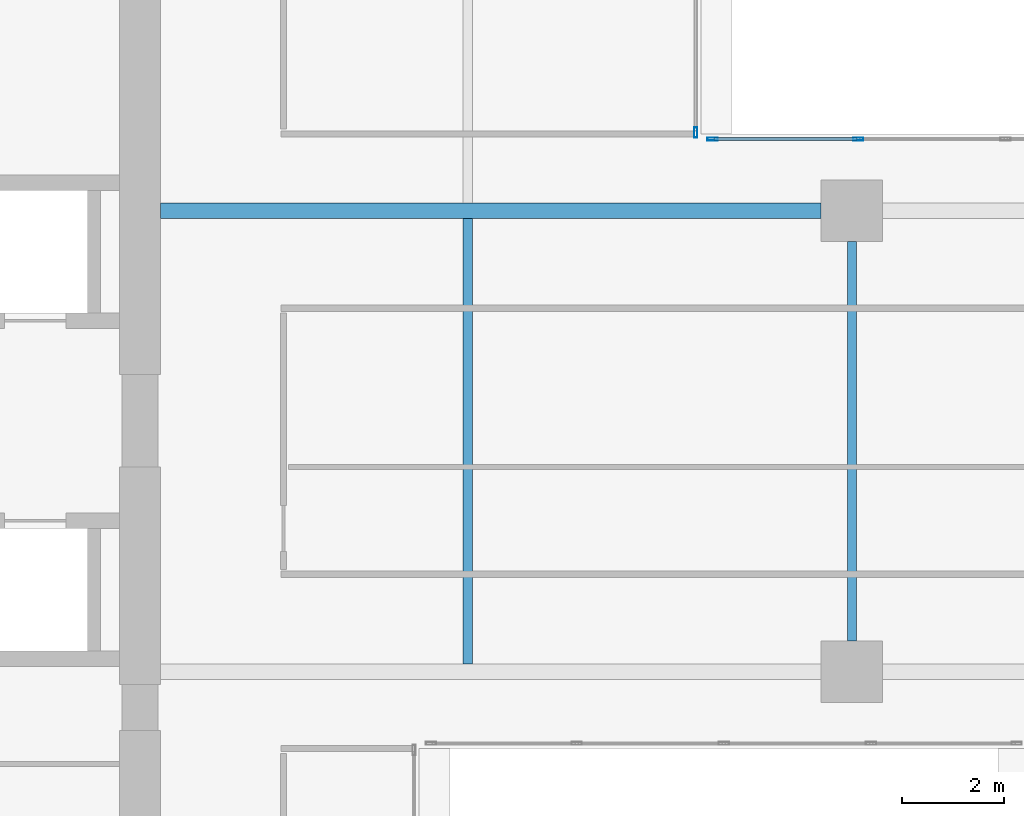
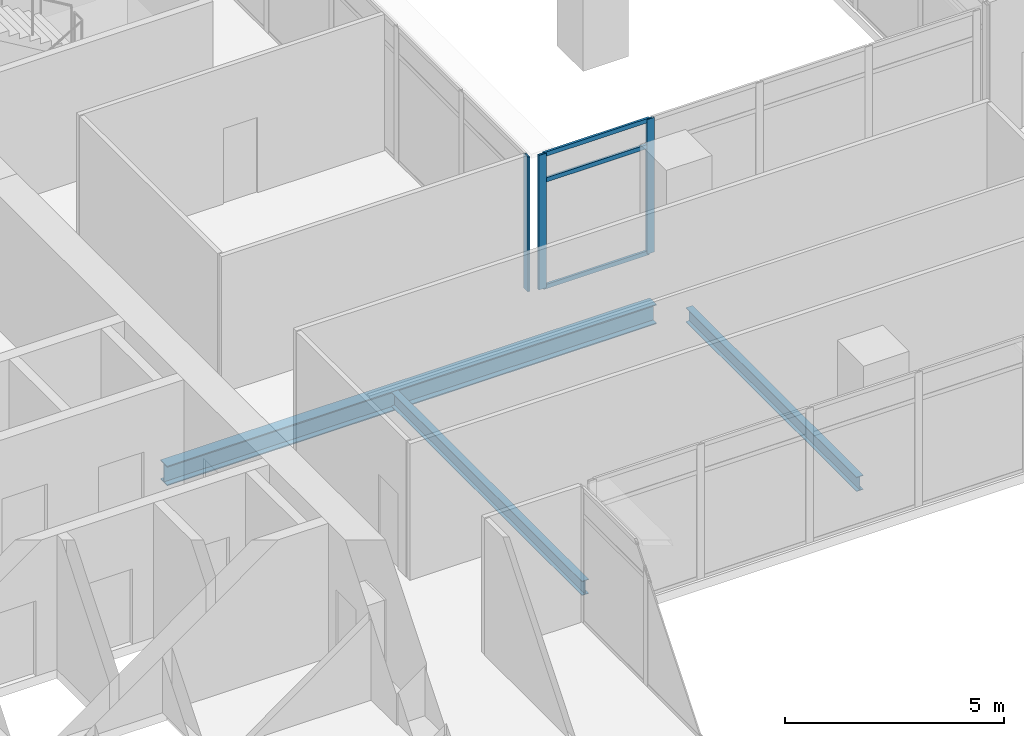
# One storey, part 8 of 37: 6 members, 3 beams, 2 elements without a shape of their own.
"""IFC4 building model written with IfcOpenShell, lengths in metres."""

from ifc_helpers import new_model, si_unit, direction, frame, origin, origin_2d, place, context, subcontext, project, spatial, hollow_rectangle, i_section, extrude, source, transform, mapped, material, material_profile, profile_set, type_object, element, aggregate, save


model = new_model("IFC4")

# Units and contexts
model_context = context("Model", 3, precision=1e-05, world=origin(), true_north=direction((0.0, 1.0)))
body_context = subcontext(model_context, "Body", "Model", "MODEL_VIEW")
ifc_project = project(units=[si_unit("LENGTHUNIT", "METRE"), si_unit("AREAUNIT", "SQUARE_METRE"), si_unit("VOLUMEUNIT", "CUBIC_METRE"), si_unit("PLANEANGLEUNIT", "RADIAN"), si_unit("MASSUNIT", "GRAM", prefix="KILO")], contexts=[model_context])

# Site, building, storey
site_placement = place(None, origin())
site = spatial("IfcSite", under=ifc_project, at=site_placement, CompositionType="ELEMENT")
building_placement = place(site_placement, origin())
building = spatial("IfcBuilding", under=site, at=building_placement, Name="Khomas Fold Tower", CompositionType="ELEMENT")
storey_placement = place(building_placement, frame((0.0, 0.0, 168.699951171875)))
storey = spatial("IfcBuildingStorey", under=building, at=storey_placement, Name="L36", CompositionType="ELEMENT", Elevation=168.699951171875)

# Beams
ifc_material_1 = material(Name="Steel S355", Category="steel")
ifc_material_profile_1 = material_profile(ifc_material_1, i_section(OverallWidth=0.179931640625, OverallDepth=0.39990234375, WebThickness=0.008544921875, FlangeThickness=0.013427734375, at=origin_2d()), Name="IPE 400")
ifc_profile_set_1 = profile_set([ifc_material_profile_1], Name="Steel S355")
beam_type_1 = type_object("IfcBeamType", Name="IPE 400 beam JB3", PredefinedType="BEAM", material=ifc_profile_set_1)
shared_shape_1 = source(origin(), body_context, "Body", "SweptSolid", [
    extrude(i_section(OverallWidth=0.179931640625, OverallDepth=0.39990234375, WebThickness=0.008544921875, FlangeThickness=0.013427734375, at=origin_2d()), origin(), (0.0, 0.0, 1.0), 8.7001953125),
])
beam_1_placement = place(storey_placement, frame((27.0, 22.64990234375, -0.449951171875), z_axis=(0.0, 1.0, 0.0), x_axis=(-1.0, 0.0, 0.0)))
element("IfcBeam", 1, at=beam_1_placement, inside=storey, type_object=beam_type_1, Name="JB3", PredefinedType="BEAM", context=body_context, shape_type="MappedRepresentation", body=[
    mapped(shared_shape_1, transform((0.0, 0.0, 0.0))),
])
ifc_material_2 = material(Name="Steel S355", Category="steel")
ifc_material_profile_2 = material_profile(ifc_material_2, i_section(OverallWidth=0.300048828125, OverallDepth=0.550048828125, WebThickness=0.014892578125, FlangeThickness=0.029052734375, at=origin_2d()), Name="HE 550 B")
ifc_profile_set_2 = profile_set([ifc_material_profile_2], Name="Steel S355")
beam_type_2 = type_object("IfcBeamType", Name="HE 550 B beam GB4", PredefinedType="BEAM", material=ifc_profile_set_2)
shared_shape_2 = source(origin(), body_context, "Body", "SweptSolid", [
    extrude(i_section(OverallWidth=0.300048828125, OverallDepth=0.550048828125, WebThickness=0.014892578125, FlangeThickness=0.029052734375, at=origin_2d()), origin(), (0.0, 0.0, 1.0), 12.89990234375),
])
beam_2_placement = place(storey_placement, frame((21.0, 31.5, -0.52490234375), z_axis=(1.0, 0.0, 0.0), x_axis=(0.0, 1.0, 0.0)))
element("IfcBeam", 2, at=beam_2_placement, inside=storey, type_object=beam_type_2, Name="GB4", PredefinedType="BEAM", context=body_context, shape_type="MappedRepresentation", body=[
    mapped(shared_shape_2, transform((0.0, 0.0, 0.0))),
])
shared_shape_3 = source(origin(), body_context, "Body", "SweptSolid", [
    extrude(i_section(OverallWidth=0.179931640625, OverallDepth=0.39990234375, WebThickness=0.008544921875, FlangeThickness=0.013427734375, at=origin_2d()), origin(), (0.0, 0.0, 1.0), 7.7998046875),
])
beam_3_placement = place(storey_placement, frame((34.5, 23.10009765625, -0.449951171875), z_axis=(0.0, 1.0, 0.0), x_axis=(-1.0, 0.0, 0.0)))
element("IfcBeam", 3, at=beam_3_placement, inside=storey, type_object=beam_type_1, Name="JB3", PredefinedType="BEAM", context=body_context, shape_type="MappedRepresentation", body=[
    mapped(shared_shape_3, transform((0.0, 0.0, 0.0))),
])

# Curtain wall, members
ifc_material_3 = material(Name="Aluminium framed double glazing", Category="aluminium")
curtain_wall_type = type_object("IfcCurtainWallType", Name="Notch glazing GN-CW", PredefinedType="NOTDEFINED", material=ifc_material_3)
curtain_wall_1_placement = place(storey_placement, origin())
curtain_wall_1 = element("IfcCurtainWall", 4, at=curtain_wall_1_placement, inside=storey, type_object=curtain_wall_type, Name="Notch glazing run", PredefinedType="NOTDEFINED")
ifc_material_4 = material(Name="Aluminium", Category="aluminium")
ifc_material_profile_3 = material_profile(ifc_material_4, hollow_rectangle(XDim=0.06005859375, YDim=0.199951171875, WallThickness=0.00390625, at=origin_2d()), Name="Notch glazing mullion GN-CW-M")
ifc_profile_set_3 = profile_set([ifc_material_profile_3], Name="Aluminium")
member_type_1 = type_object("IfcMemberType", Name="Notch glazing mullion GN-CW-M", PredefinedType="MULLION", material=ifc_profile_set_3)
shared_shape_4 = source(origin(), body_context, "Body", "SweptSolid", [
    extrude(hollow_rectangle(XDim=0.06005859375, YDim=0.199951171875, WallThickness=0.00390625, at=origin_2d()), origin(), (0.0, 0.0, 1.0), 3.75),
])
member_1_placement = place(storey_placement, frame((34.625, 32.89990234375, 0.0), z_axis=(0.0, 0.0, 1.0), x_axis=(0.0, -1.0, 0.0)))
member_1 = element("IfcMember", 5, at=member_1_placement, type_object=member_type_1, Name="GN-CW mullion 4", PredefinedType="MULLION", context=body_context, shape_type="MappedRepresentation", body=[
    mapped(shared_shape_4, transform((0.0, 0.0, 0.0))),
])
member_2_placement = place(storey_placement, frame((31.780029296875, 32.89990234375, 0.0), z_axis=(0.0, 0.0, 1.0), x_axis=(0.0, -1.0, 0.0)))
member_2 = element("IfcMember", 6, at=member_2_placement, type_object=member_type_1, Name="GN-CW mullion 5", PredefinedType="MULLION", context=body_context, shape_type="MappedRepresentation", body=[
    mapped(shared_shape_4, transform((0.0, 0.0, 0.0))),
])

# Curtain wall, member
curtain_wall_2_placement = place(storey_placement, origin())
curtain_wall_2 = element("IfcCurtainWall", 7, at=curtain_wall_2_placement, inside=storey, type_object=curtain_wall_type, Name="Notch glazing run", PredefinedType="NOTDEFINED")
member_3_placement = place(storey_placement, frame((31.449951171875, 33.030029296875, 0.0), z_axis=(0.0, 0.0, 1.0), x_axis=(-1.0, 0.0, 0.0)))
member_3 = element("IfcMember", 8, at=member_3_placement, type_object=member_type_1, Name="GN-CW mullion 1", PredefinedType="MULLION", context=body_context, shape_type="MappedRepresentation", body=[
    mapped(shared_shape_4, transform((0.0, 0.0, 0.0))),
])
aggregate(curtain_wall_2, [member_3])

# Member
ifc_material_5 = material(Name="Aluminium", Category="aluminium")
ifc_material_profile_4 = material_profile(ifc_material_5, hollow_rectangle(XDim=0.06005859375, YDim=0.1201171875, WallThickness=0.00390625, at=origin_2d()), Name="Notch glazing transom GN-CW-T")
ifc_profile_set_4 = profile_set([ifc_material_profile_4], Name="Aluminium")
member_type_2 = type_object("IfcMemberType", Name="Notch glazing transom GN-CW-T", PredefinedType="USERDEFINED", material=ifc_profile_set_4)
shared_shape_5 = source(origin(), body_context, "Body", "SweptSolid", [
    extrude(hollow_rectangle(XDim=0.06005859375, YDim=0.1201171875, WallThickness=0.00390625, at=origin_2d()), origin(), (0.0, 0.0, 1.0), 2.784912109375),
])
member_4_placement = place(storey_placement, frame((34.594970703125, 32.89990234375, 0.030029296875), z_axis=(-1.0, 0.0, 0.0), x_axis=(0.0, -1.0, 0.0)))
member_4 = element("IfcMember", 9, at=member_4_placement, type_object=member_type_2, Name="GN-CW transom 4.1", ObjectType="TRANSOM", PredefinedType="USERDEFINED", context=body_context, shape_type="MappedRepresentation", body=[
    mapped(shared_shape_5, transform((0.0, 0.0, 0.0))),
])

member_5_placement = place(storey_placement, frame((34.594970703125, 32.89990234375, 3.0), z_axis=(-1.0, 0.0, 0.0), x_axis=(0.0, -1.0, 0.0)))
member_5 = element("IfcMember", 10, at=member_5_placement, type_object=member_type_2, Name="GN-CW transom 4.2", ObjectType="TRANSOM", PredefinedType="USERDEFINED", context=body_context, shape_type="MappedRepresentation", body=[
    mapped(shared_shape_5, transform((0.0, 0.0, 0.0))),
])

member_6_placement = place(storey_placement, frame((34.594970703125, 32.89990234375, 3.719970703125), z_axis=(-1.0, 0.0, 0.0), x_axis=(0.0, -1.0, 0.0)))
member_6 = element("IfcMember", 11, at=member_6_placement, type_object=member_type_2, Name="GN-CW transom 4.3", ObjectType="TRANSOM", PredefinedType="USERDEFINED", context=body_context, shape_type="MappedRepresentation", body=[
    mapped(shared_shape_5, transform((0.0, 0.0, 0.0))),
])

aggregate(curtain_wall_1, [member_1, member_2, member_4, member_5, member_6])

save(model, "model.ifc")
